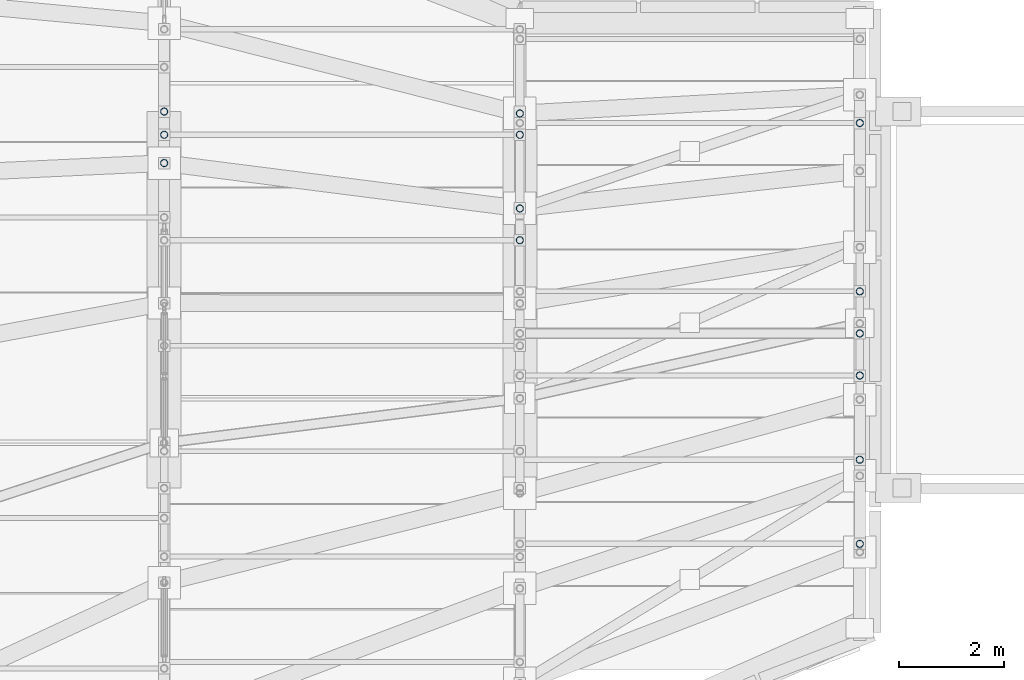
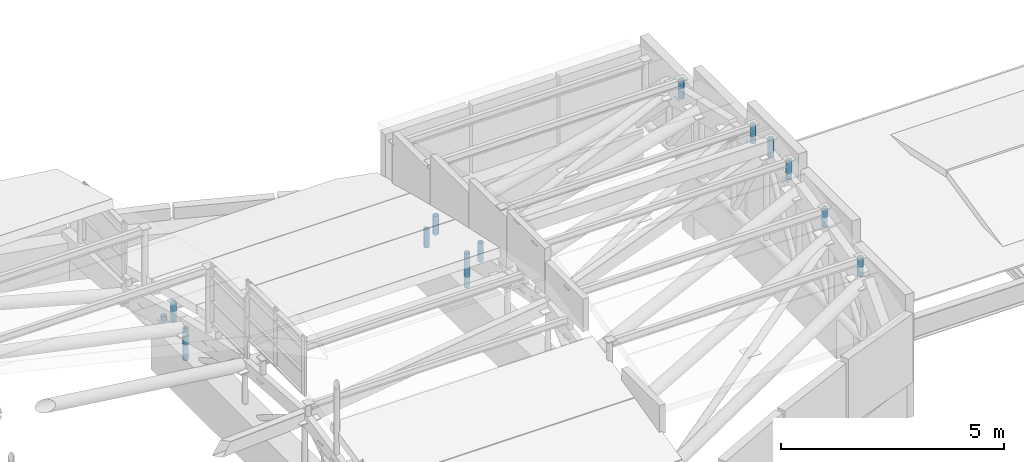
# One storey, part 150 of 188: 13 members.
"""IFC4 building model written with IfcOpenShell, lengths in metres."""

from ifc_helpers import new_model, si_unit, direction, frame, origin, origin_2d, place, context, subcontext, project, spatial, hollow_circle, extrude, material, material_profile, profile_set, type_object, element, save


model = new_model("IFC4")

# Units and contexts
model_context = context("Model", 3, precision=1e-05, world=origin(), true_north=direction((0.0, 1.0)))
body_context = subcontext(model_context, "Body", "Model", "MODEL_VIEW")
ifc_project = project(units=[si_unit("LENGTHUNIT", "METRE"), si_unit("AREAUNIT", "SQUARE_METRE"), si_unit("VOLUMEUNIT", "CUBIC_METRE"), si_unit("PLANEANGLEUNIT", "RADIAN"), si_unit("MASSUNIT", "GRAM", prefix="KILO")], contexts=[model_context])

# Site, building, storey
site_placement = place(None, origin())
site = spatial("IfcSite", under=ifc_project, at=site_placement, CompositionType="ELEMENT")
building_placement = place(site_placement, origin())
building = spatial("IfcBuilding", under=site, at=building_placement, Name="Kisaragi Civic Commons", CompositionType="ELEMENT")
storey_placement = place(building_placement, frame((0.0, 0.0, 9.60009765625)))
storey = spatial("IfcBuildingStorey", under=building, at=storey_placement, Name="L02", CompositionType="ELEMENT", Elevation=9.60009765625)

# Members
ifc_material = material(Name="Steel SN490 (SN490B)", Category="steel")
ifc_material_profile = material_profile(ifc_material, hollow_circle(Radius=0.06982421875, WallThickness=0.006103515625, at=origin_2d()), Name="CHS-139.8x6.0", Category="steel")
ifc_profile_set = profile_set([ifc_material_profile], Name="Steel SN490 (SN490B)")
member_type = type_object("IfcMemberType", Name="ST-H1", PredefinedType="STRUT", material=ifc_profile_set)
member_1_placement = place(storey_placement, frame((40.800048828125, 110.614501953125, -0.48193359375), z_axis=(0.0, 0.0, 1.0), x_axis=(1.0, 0.0, 0.0)))
element("IfcMember", 1, at=member_1_placement, inside=storey, type_object=member_type, Name="V2 arch tie hanger strut 93", PredefinedType="STRUT", context=body_context, shape_type="SweptSolid", body=[
    extrude(hollow_circle(Radius=0.06982421875, WallThickness=0.006103515625, at=origin_2d()), origin(), (0.0, 0.0, 1.0), 0.87060546875),
])
member_2_placement = place(storey_placement, frame((47.60009765625, 109.747802734375, -0.34326171875), z_axis=(0.0, 0.0, 1.0), x_axis=(1.0, 0.0, 0.0)))
element("IfcMember", 2, at=member_2_placement, inside=storey, type_object=member_type, Name="V2 arch tie hanger strut 104", PredefinedType="STRUT", context=body_context, shape_type="SweptSolid", body=[
    extrude(hollow_circle(Radius=0.06982421875, WallThickness=0.006103515625, at=origin_2d()), origin(), (0.0, 0.0, 1.0), 0.9453125),
])
member_3_placement = place(storey_placement, frame((47.60009765625, 111.56396484375, -0.34326171875), z_axis=(0.0, 0.0, 1.0), x_axis=(1.0, 0.0, 0.0)))
element("IfcMember", 3, at=member_3_placement, inside=storey, type_object=member_type, Name="V2 arch tie hanger strut 105", PredefinedType="STRUT", context=body_context, shape_type="SweptSolid", body=[
    extrude(hollow_circle(Radius=0.06982421875, WallThickness=0.006103515625, at=origin_2d()), origin(), (0.0, 0.0, 1.0), 0.4951171875),
])
member_4_placement = place(storey_placement, frame((40.800048828125, 111.60009765625, -0.02001953125), z_axis=(0.0, 0.0, 1.0), x_axis=(1.0, 0.0, 0.0)))
element("IfcMember", 4, at=member_4_placement, inside=storey, type_object=member_type, Name="V2 interior column arch support post (40.8,111.6)", PredefinedType="STRUT", context=body_context, shape_type="SweptSolid", body=[
    extrude(hollow_circle(Radius=0.06982421875, WallThickness=0.006103515625, at=origin_2d()), origin(), (0.0, 0.0, 1.0), 0.1484375),
])
member_5_placement = place(storey_placement, frame((47.60009765625, 109.1396484375, 0.73681640625), z_axis=(0.0, 0.0, 1.0), x_axis=(1.0, 0.0, 0.0)))
element("IfcMember", 5, at=member_5_placement, inside=storey, type_object=member_type, Name="V2 clerestory monitor horizontal tie strut 7.7.6", PredefinedType="STRUT", context=body_context, shape_type="SweptSolid", body=[
    extrude(hollow_circle(Radius=0.06982421875, WallThickness=0.006103515625, at=origin_2d()), origin(), (0.0, 0.0, 1.0), 0.513671875),
])
member_6_placement = place(storey_placement, frame((40.800048828125, 111.156005859375, 0.24560546875), z_axis=(0.0, 0.0, 1.0), x_axis=(1.0, 0.0, 0.0)))
element("IfcMember", 6, at=member_6_placement, inside=storey, type_object=member_type, Name="V2 clerestory monitor horizontal tie strut 7.6.7", PredefinedType="STRUT", context=body_context, shape_type="SweptSolid", body=[
    extrude(hollow_circle(Radius=0.06982421875, WallThickness=0.006103515625, at=origin_2d()), origin(), (0.0, 0.0, 1.0), 0.527099609375),
])
member_7_placement = place(storey_placement, frame((47.60009765625, 111.156005859375, 0.2529296875), z_axis=(0.0, 0.0, 1.0), x_axis=(1.0, 0.0, 0.0)))
element("IfcMember", 7, at=member_7_placement, inside=storey, type_object=member_type, Name="V2 clerestory monitor horizontal tie strut 7.7.7", PredefinedType="STRUT", context=body_context, shape_type="SweptSolid", body=[
    extrude(hollow_circle(Radius=0.06982421875, WallThickness=0.006103515625, at=origin_2d()), origin(), (0.0, 0.0, 1.0), 0.519775390625),
])
member_8_placement = place(storey_placement, frame((54.10009765625, 107.357421875, 2.3955078125), z_axis=(0.0, 0.0, 1.0), x_axis=(1.0, 0.0, 0.0)))
element("IfcMember", 8, at=member_8_placement, inside=storey, type_object=member_type, Name="V2 clerestory monitor horizontal tie strut 8.8.rdg", PredefinedType="STRUT", context=body_context, shape_type="SweptSolid", body=[
    extrude(hollow_circle(Radius=0.06982421875, WallThickness=0.006103515625, at=origin_2d()), origin(), (0.0, 0.0, 1.0), 0.521484375),
])
member_9_placement = place(storey_placement, frame((54.10009765625, 103.334228515625, 1.5732421875), z_axis=(0.0, 0.0, 1.0), x_axis=(1.0, 0.0, 0.0)))
element("IfcMember", 9, at=member_9_placement, inside=storey, type_object=member_type, Name="V2 clerestory monitor horizontal tie strut 8.8.2", PredefinedType="STRUT", context=body_context, shape_type="SweptSolid", body=[
    extrude(hollow_circle(Radius=0.06982421875, WallThickness=0.006103515625, at=origin_2d()), origin(), (0.0, 0.0, 1.0), 0.519775390625),
])
member_10_placement = place(storey_placement, frame((54.10009765625, 104.943603515625, 1.9609375), z_axis=(0.0, 0.0, 1.0), x_axis=(1.0, 0.0, 0.0)))
element("IfcMember", 10, at=member_10_placement, inside=storey, type_object=member_type, Name="V2 clerestory monitor horizontal tie strut 8.8.3", PredefinedType="STRUT", context=body_context, shape_type="SweptSolid", body=[
    extrude(hollow_circle(Radius=0.06982421875, WallThickness=0.006103515625, at=origin_2d()), origin(), (0.0, 0.0, 1.0), 0.513916015625),
])
member_11_placement = place(storey_placement, frame((54.10009765625, 106.552734375, 2.280517578125), z_axis=(0.0, 0.0, 1.0), x_axis=(1.0, 0.0, 0.0)))
element("IfcMember", 11, at=member_11_placement, inside=storey, type_object=member_type, Name="V2 clerestory monitor horizontal tie strut 8.8.4", PredefinedType="STRUT", context=body_context, shape_type="SweptSolid", body=[
    extrude(hollow_circle(Radius=0.06982421875, WallThickness=0.006103515625, at=origin_2d()), origin(), (0.0, 0.0, 1.0), 0.53271484375),
])
member_12_placement = place(storey_placement, frame((54.10009765625, 108.161865234375, 2.30029296875), z_axis=(0.0, 0.0, 1.0), x_axis=(1.0, 0.0, 0.0)))
element("IfcMember", 12, at=member_12_placement, inside=storey, type_object=member_type, Name="V2 clerestory monitor horizontal tie strut 8.8.5", PredefinedType="STRUT", context=body_context, shape_type="SweptSolid", body=[
    extrude(hollow_circle(Radius=0.06982421875, WallThickness=0.006103515625, at=origin_2d()), origin(), (0.0, 0.0, 1.0), 0.512939453125),
])
member_13_placement = place(storey_placement, frame((54.10009765625, 111.38037109375, 1.5732421875), z_axis=(0.0, 0.0, 1.0), x_axis=(1.0, 0.0, 0.0)))
element("IfcMember", 13, at=member_13_placement, inside=storey, type_object=member_type, Name="V2 clerestory monitor horizontal tie strut 8.8.7", PredefinedType="STRUT", context=body_context, shape_type="SweptSolid", body=[
    extrude(hollow_circle(Radius=0.06982421875, WallThickness=0.006103515625, at=origin_2d()), origin(), (0.0, 0.0, 1.0), 0.519775390625),
])

save(model, "model.ifc")
